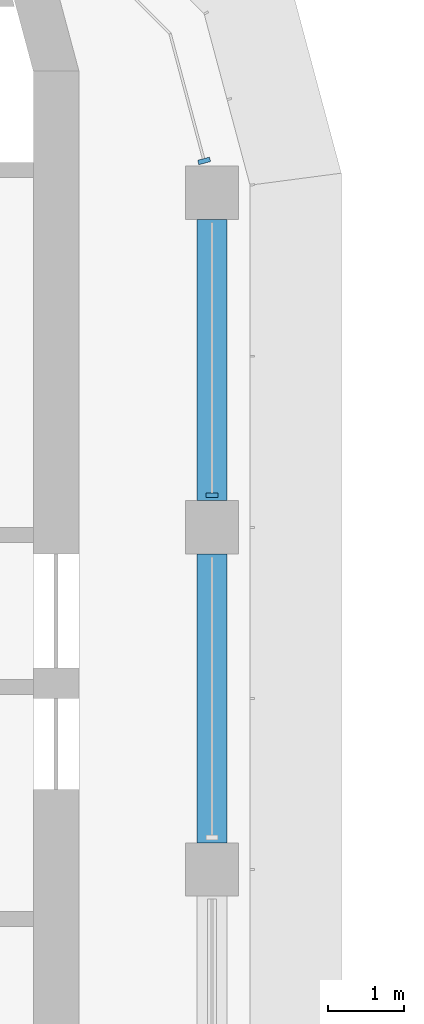
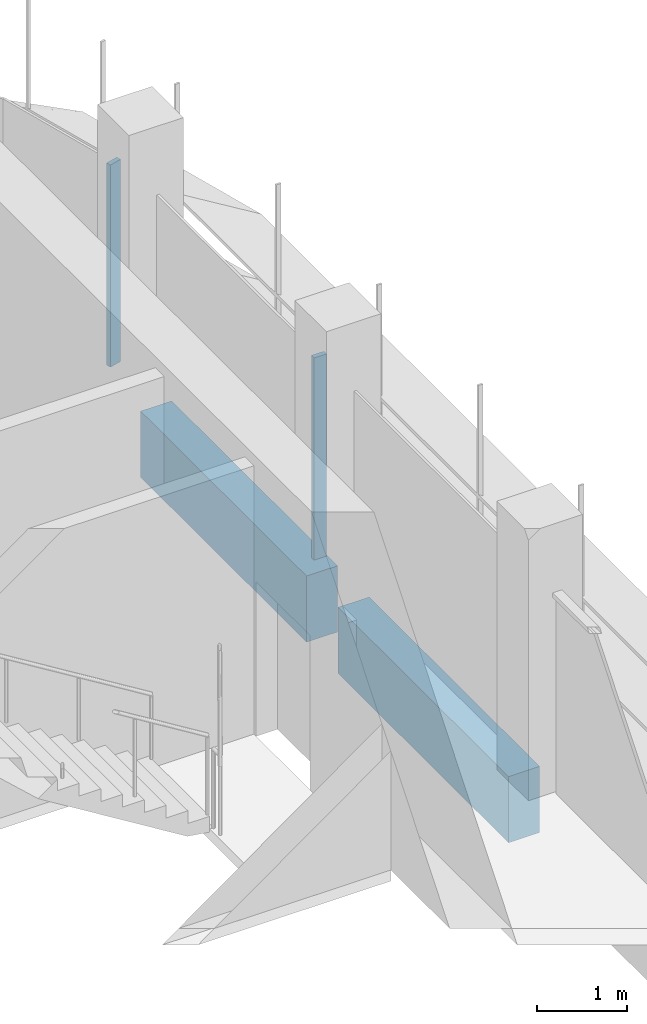
# One storey, part 10 of 19: 2 beams, 2 members, 2 elements without a shape of their own.
"""IFC4 building model written with IfcOpenShell, lengths in metres."""

import ifcopenshell
import ifcopenshell.guid

model = None  # the IFC model being written
_history = None  # IfcOwnerHistory: only IFC2X3 demands one
_inside = {}  # id of a spatial element -> (the spatial element, [elements in it])
_under = {}  # id of a project, library or spatial element -> (it, [spatial elements below it])
_declared = {}  # id of a project -> (the project, [libraries it declares])
_typed = {}  # id of a type object -> (the type object, [elements of that type])
_made_of = {}  # id of a material, layer set ... -> (it, [elements and type objects made of it])


def new_model(schema):
    """Start an empty IFC model of exactly this schema.

    Asked for "IFC4X3", IfcOpenShell would pick the latest addendum, in which some entities
    have other attributes; the version numbers below select the first issue.
    IFC2X3 requires an IfcOwnerHistory on every rooted entity: one is made here for all.
    """
    global model, _history
    if schema == "IFC4X3":
        model = ifcopenshell.file(schema_version=(4, 3, 0, 0))
    else:
        model = ifcopenshell.file(schema=schema)
    _inside.clear()
    _under.clear()
    _declared.clear()
    _typed.clear()
    _made_of.clear()
    _history = None
    if model.schema == "IFC2X3":
        org = make("IfcOrganization", Name="unknown")
        user = make(
            "IfcPersonAndOrganization",
            ThePerson=make("IfcPerson", FamilyName="unknown"),
            TheOrganization=org,
        )
        app = make(
            "IfcApplication",
            ApplicationDeveloper=org,
            Version="unknown",
            ApplicationFullName="unknown",
            ApplicationIdentifier="unknown",
        )
        _history = make(
            "IfcOwnerHistory",
            OwningUser=user,
            OwningApplication=app,
            ChangeAction="ADDED",
            CreationDate=0,
        )
    return model


def make(cls, **values):
    """One entity of the class cls with the attributes given. An attribute that is None is left unset."""
    return model.create_entity(
        cls, **{name: value for name, value in values.items() if value is not None}
    )


def rooted(cls, **values):
    """An entity with a GlobalId (a new one), such as an element, a storey or a relation."""
    return make(cls, GlobalId=ifcopenshell.guid.new(), OwnerHistory=_history, **values)


def si_unit(unit_type, name, prefix=None):
    """IfcSIUnit, for example si_unit("LENGTHUNIT", "METRE", prefix="MILLI")."""
    return make("IfcSIUnit", UnitType=unit_type, Prefix=prefix, Name=name)


def assignment(units):
    """IfcUnitAssignment: the units of a project."""
    return None if units is None else make("IfcUnitAssignment", Units=units)


def point(xyz):
    """IfcCartesianPoint."""
    return None if xyz is None else make("IfcCartesianPoint", Coordinates=xyz)


def direction(xyz):
    """IfcDirection."""
    return None if xyz is None else make("IfcDirection", DirectionRatios=xyz)


def frame(location, z_axis=None, x_axis=None):
    """IfcAxis2Placement3D, a coordinate frame: its origin and axes. An axis left out is left unset."""
    return make(
        "IfcAxis2Placement3D",
        Location=point(location),
        Axis=direction(z_axis),
        RefDirection=direction(x_axis),
    )


def frame_2d(location, x_axis=None):
    """IfcAxis2Placement2D, a coordinate frame in the plane: its origin and x axis."""
    return make(
        "IfcAxis2Placement2D", Location=point(location), RefDirection=direction(x_axis)
    )


def origin():
    """The frame at (0, 0, 0) with its axes left unset."""
    return frame((0.0, 0.0, 0.0))


def origin_2d():
    """The frame at (0, 0) in the plane with its x axis left unset."""
    return frame_2d((0.0, 0.0))


def place(relative_to, where):
    """IfcLocalPlacement: puts the frame where relative to a parent placement (None: the world)."""
    return make(
        "IfcLocalPlacement", PlacementRelTo=relative_to, RelativePlacement=where
    )


def context(
    kind, dimensions, precision=None, world=None, true_north=None, identifier=None
):
    """IfcGeometricRepresentationContext, for example the 3D "Model" context."""
    return make(
        "IfcGeometricRepresentationContext",
        ContextIdentifier=identifier,
        ContextType=kind,
        CoordinateSpaceDimension=dimensions,
        Precision=precision,
        WorldCoordinateSystem=world,
        TrueNorth=true_north,
    )


def subcontext(parent, identifier, kind, view, scale=None):
    """IfcGeometricRepresentationSubContext, for example "Body" below "Model"."""
    return make(
        "IfcGeometricRepresentationSubContext",
        ContextIdentifier=identifier,
        ContextType=kind,
        ParentContext=parent,
        TargetScale=scale,
        TargetView=view,
    )


def project(units=None, contexts=None):
    """IfcProject with its units and contexts."""
    return rooted(
        "IfcProject",
        Name="project",
        RepresentationContexts=contexts,
        UnitsInContext=assignment(units),
    )


def spatial(cls, under=None, at=None, **own):
    """A site, building, storey or space (cls), placed at a placement, below another one or the project."""
    s = rooted(cls, ObjectPlacement=at, **own)
    if under is not None:
        _under.setdefault(under.id(), (under, []))[1].append(s)
    return s


def polyline(points):
    """IfcPolyline through the points."""
    return make("IfcPolyline", Points=[point(p) for p in points])


def profile(cls, at=None, kind="AREA", **sizes):
    """A parametric profile (cls). Its sizes go by their IFC names, for example OverallWidth=200.0."""
    return make(cls, ProfileType=kind, Position=at, **sizes)


def rectangle(**sizes):
    """IfcRectangleProfileDef."""
    return profile("IfcRectangleProfileDef", **sizes)


def outline(outer, holes=None, kind="AREA"):
    """IfcArbitraryClosedProfileDef: a profile drawn as a closed curve; with holes, ...WithVoids."""
    if holes is None:
        return make("IfcArbitraryClosedProfileDef", ProfileType=kind, OuterCurve=outer)
    return make(
        "IfcArbitraryProfileDefWithVoids",
        ProfileType=kind,
        OuterCurve=outer,
        InnerCurves=holes,
    )


def extrude(swept, where, along, depth):
    """IfcExtrudedAreaSolid: the profile swept, set in the frame where, extruded along a direction by depth."""
    return make(
        "IfcExtrudedAreaSolid",
        SweptArea=swept,
        Position=where,
        ExtrudedDirection=direction(along),
        Depth=depth,
    )


def shape(context_of_items, identifier, shape_type, items):
    """IfcShapeRepresentation: the items that make up one representation, for example the "Body"."""
    return make(
        "IfcShapeRepresentation",
        ContextOfItems=context_of_items,
        RepresentationIdentifier=identifier,
        RepresentationType=shape_type,
        Items=items,
    )


def source(mapping_origin, context_of_items, identifier, shape_type, items):
    """IfcRepresentationMap: a shape defined once, which mapped items show again and again."""
    return make(
        "IfcRepresentationMap",
        MappingOrigin=mapping_origin,
        MappedRepresentation=shape(context_of_items, identifier, shape_type, items),
    )


def transform(
    local_origin,
    x_axis=None,
    y_axis=None,
    z_axis=None,
    scale=None,
    scale2=None,
    scale3=None,
    uniform=True,
):
    """IfcCartesianTransformationOperator3D, or its non-uniform kind. x_axis, y_axis, z_axis: its Axis1, 2, 3."""
    if uniform:
        return make(
            "IfcCartesianTransformationOperator3D",
            Axis1=direction(x_axis),
            Axis2=direction(y_axis),
            LocalOrigin=point(local_origin),
            Scale=scale,
            Axis3=direction(z_axis),
        )
    return make(
        "IfcCartesianTransformationOperator3DnonUniform",
        Axis1=direction(x_axis),
        Axis2=direction(y_axis),
        LocalOrigin=point(local_origin),
        Scale=scale,
        Axis3=direction(z_axis),
        Scale2=scale2,
        Scale3=scale3,
    )


def mapped(mapping_source, mapping_target):
    """IfcMappedItem: shows the shape of a source again, moved by a transform."""
    return make(
        "IfcMappedItem", MappingSource=mapping_source, MappingTarget=mapping_target
    )


def material(Name=None, Category=None):
    """IfcMaterial."""
    return make("IfcMaterial", Name=Name, Category=Category)


def material_profile(
    of_material, cross_section, Name=None, Category=None, Priority=None
):
    """IfcMaterialProfile: a cross section and its material."""
    return make(
        "IfcMaterialProfile",
        Name=Name,
        Material=of_material,
        Profile=cross_section,
        Priority=Priority,
        Category=Category,
    )


def profile_set(profiles, Name=None, composite=None):
    """IfcMaterialProfileSet."""
    return make(
        "IfcMaterialProfileSet",
        Name=Name,
        MaterialProfiles=profiles,
        CompositeProfile=composite,
    )


def made_of(thing, what):
    """Note that an element or type object is made of a material, layer set ...; save() writes the relation."""
    if what is not None:
        _made_of.setdefault(what.id(), (what, []))[1].append(thing)
    return thing


def type_object(cls, material=None, **own):
    """A type object (cls), such as IfcWallType, which elements share."""
    return made_of(rooted(cls, **own), material)


def element(
    cls,
    number,
    at=None,
    inside=None,
    cuts=None,
    type_object=None,
    material=None,
    context=None,
    identifier="Body",
    shape_type=None,
    held_by="IfcProductDefinitionShape",
    body=None,
    shapes=None,
    **own,
):
    """One element of the class cls, such as IfcWall. Its Tag is "e" and its number.

    at: its placement. inside: the storey or other place that contains it. cuts: it is an
    opening in that element (IfcRelVoidsElement). A single representation is given by context,
    identifier, shape_type and body (its items); several are given by shapes. held_by: the class
    of the entity that holds the representations. save() writes the other relations.
    """
    e = rooted(cls, Tag="e%d" % number, ObjectPlacement=at, **own)
    if body is not None:
        shapes = [shape(context, identifier, shape_type, body)]
    if shapes is not None:
        e.Representation = make(held_by, Representations=shapes)
    if inside is not None:
        _inside.setdefault(inside.id(), (inside, []))[1].append(e)
    if cuts is not None:
        rooted(
            "IfcRelVoidsElement", RelatingBuildingElement=cuts, RelatedOpeningElement=e
        )
    if type_object is not None:
        _typed.setdefault(type_object.id(), (type_object, []))[1].append(e)
    return made_of(e, material)


def aggregate(whole, parts):
    """IfcRelAggregates: a whole, such as a stair, and the parts it consists of."""
    return rooted("IfcRelAggregates", RelatingObject=whole, RelatedObjects=parts)


def save(model, path):
    """Write the relations noted so far, then the file.

    IfcRelAggregates (storeys below a building ...), IfcRelContainedInSpatialStructure (elements
    in a storey), IfcRelDefinesByType, IfcRelAssociatesMaterial and IfcRelDeclares: one each for
    every whole, place, type object, material and project.
    """
    for whole, parts in _under.values():
        aggregate(whole, parts)
    for where, things in _inside.values():
        rooted(
            "IfcRelContainedInSpatialStructure",
            RelatedElements=things,
            RelatingStructure=where,
        )
    for kind, things in _typed.values():
        rooted("IfcRelDefinesByType", RelatedObjects=things, RelatingType=kind)
    for what, things in _made_of.values():
        rooted("IfcRelAssociatesMaterial", RelatedObjects=things, RelatingMaterial=what)
    for by, libraries in _declared.values():
        rooted("IfcRelDeclares", RelatingContext=by, RelatedDefinitions=libraries)
    model.write(path)


model = new_model("IFC4")

# Units and contexts
model_context = context("Model", 3, precision=1e-05, world=origin(), true_north=direction((0.0, 1.0)))
body_context = subcontext(model_context, "Body", "Model", "MODEL_VIEW")
ifc_project = project(units=[si_unit("LENGTHUNIT", "METRE"), si_unit("AREAUNIT", "SQUARE_METRE"), si_unit("VOLUMEUNIT", "CUBIC_METRE"), si_unit("PLANEANGLEUNIT", "RADIAN"), si_unit("MASSUNIT", "GRAM", prefix="KILO")], contexts=[model_context])

# Site, building, storey
site_placement = place(None, origin())
site = spatial("IfcSite", under=ifc_project, at=site_placement, CompositionType="ELEMENT")
building_placement = place(site_placement, origin())
building = spatial("IfcBuilding", under=site, at=building_placement, Name="Zarbagh Exchange Tower", CompositionType="ELEMENT")
storey_placement = place(building_placement, frame((0.0, 0.0, 233.39990234375)))
storey = spatial("IfcBuildingStorey", under=building, at=storey_placement, Name="L57", CompositionType="ELEMENT", Elevation=233.39990234375)

# Beams
ifc_material_1 = material(Name="Concrete C50/60", Category="concrete")
ifc_material_profile = material_profile(ifc_material_1, rectangle(XDim=0.39990234375, YDim=0.89990234375, at=origin_2d()), Name="RC spandrel beam 400 x 900 C50/60")
ifc_profile_set = profile_set([ifc_material_profile], Name="Concrete C50/60")
beam_type = type_object("IfcBeamType", Name="RC spandrel beam 400 x 900 C50/60", PredefinedType="SPANDREL", material=ifc_profile_set)
beam_1_placement = place(storey_placement, frame((6.25, 24.300048828125, -0.599853515625), z_axis=(0.0, -1.0, 0.0), x_axis=(1.0, 0.0, 0.0)))
element("IfcBeam", 1, at=beam_1_placement, inside=storey, type_object=beam_type, Name="RC spandrel beam", PredefinedType="SPANDREL", context=body_context, shape_type="SweptSolid", body=[
    extrude(rectangle(XDim=0.39990234375, YDim=0.89990234375, at=origin_2d()), origin(), (0.0, 0.0, 1.0), 3.699951171875),
])
beam_2_placement = place(storey_placement, frame((6.25, 19.89990234375, -0.599853515625), z_axis=(0.0, -1.0, 0.0), x_axis=(1.0, 0.0, 0.0)))
element("IfcBeam", 2, at=beam_2_placement, inside=storey, type_object=beam_type, Name="RC spandrel beam", PredefinedType="SPANDREL", context=body_context, shape_type="SweptSolid", body=[
    extrude(rectangle(XDim=0.39990234375, YDim=0.89990234375, at=origin_2d()), origin(), (0.0, 0.0, 1.0), 3.7998046875),
])

# Curtain wall, member
ifc_material_2 = material(Name="Anodised aluminium frame and glazing", Category="aluminium")
curtain_wall_type = type_object("IfcCurtainWallType", Name="CWB Ribbon glazing, upper zones", PredefinedType="NOTDEFINED", material=ifc_material_2)
curtain_wall_1_placement = place(storey_placement, origin())
curtain_wall_1 = element("IfcCurtainWall", 3, at=curtain_wall_1_placement, inside=storey, type_object=curtain_wall_type, Name="CWB67 curtain wall", PredefinedType="NOTDEFINED")
ifc_material_3 = material(Name="Anodised aluminium frame", Category="aluminium")
member_type = type_object("IfcMemberType", Name="MUB Mullion, anodised aluminium frame", PredefinedType="MULLION", material=ifc_material_3)
shared_shape = source(origin(), body_context, "Body", "SweptSolid", [
    extrude(outline(polyline([(0.0, -0.080078125), (0.06005859375, -0.080078125), (0.06005859375, 0.080078125), (0.0, 0.080078125), (0.0, -0.080078125)])), origin(), (0.0, 0.0, 1.0), 2.75),
])
placement = place(storey_placement, origin())
member_1 = element("IfcMember", 4, at=placement, type_object=member_type, Name="CWB67 mullion 3.1", PredefinedType="MULLION", context=body_context, shape_type="MappedRepresentation", body=[
    mapped(shared_shape, transform((6.25, 20.64013671875, 0.0), x_axis=(0.0, 1.0, 0.0), y_axis=(-1.0, 0.0, 0.0), z_axis=(0.0, 0.0, 1.0))),
])
aggregate(curtain_wall_1, [member_1])

curtain_wall_2_placement = place(storey_placement, origin())
curtain_wall_2 = element("IfcCurtainWall", 5, at=curtain_wall_2_placement, inside=storey, type_object=curtain_wall_type, Name="CWB68 curtain wall", PredefinedType="NOTDEFINED")
member_2 = element("IfcMember", 6, at=placement, type_object=member_type, Name="CWB68 mullion 1.1", PredefinedType="MULLION", context=body_context, shape_type="MappedRepresentation", body=[
    mapped(shared_shape, transform((6.154541015625, 25.0400390625, 0.0), x_axis=(-0.258824779902, 0.965924289636, 0.0), y_axis=(-0.965924289636, -0.258824779902, 0.0), z_axis=(0.0, 0.0, 1.0))),
])
aggregate(curtain_wall_2, [member_2])

save(model, "model.ifc")
